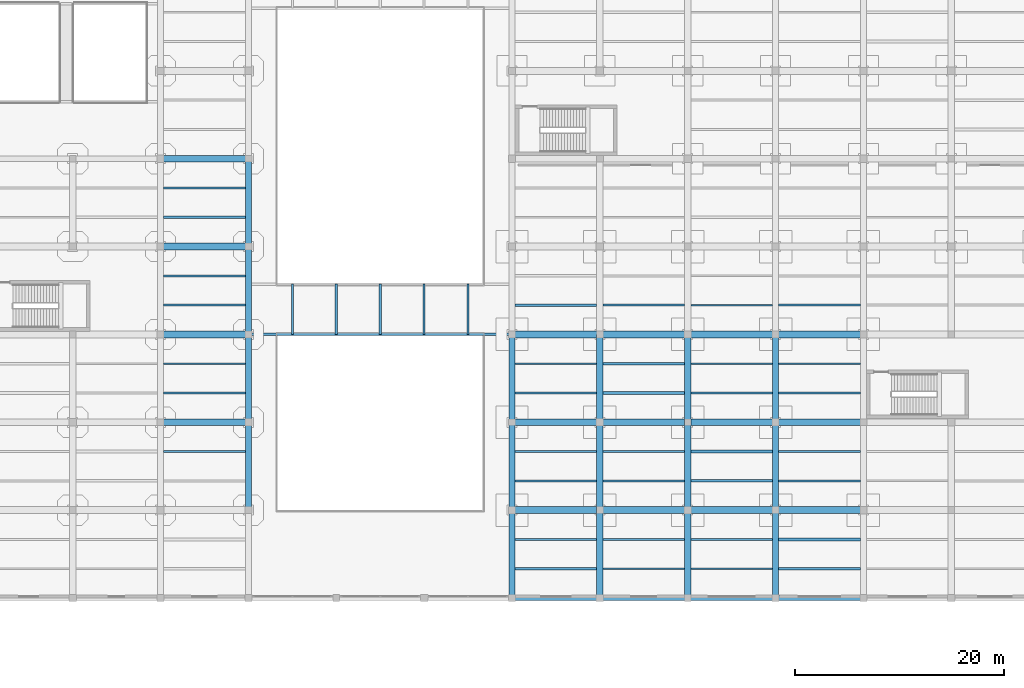
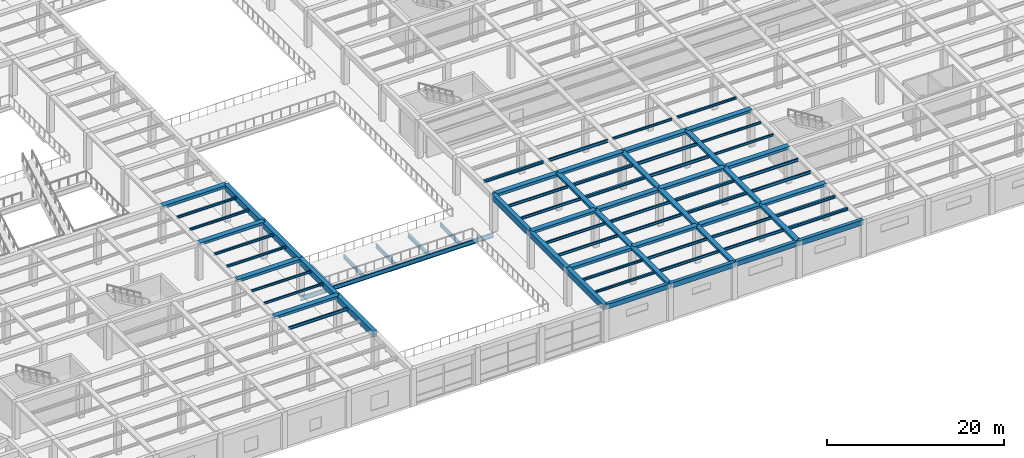
# One storey, part 15 of 65: 77 beams.
"""IFC4 building model written with IfcOpenShell, lengths in metres."""

from ifc_helpers import new_model, si_unit, direction, frame, origin, origin_2d, place, context, subcontext, project, spatial, rectangle, i_section, extrude, material, material_profile, profile_set, type_object, element, save


model = new_model("IFC4")

# Units and contexts
model_context = context("Model", 3, precision=1e-05, world=origin(), true_north=direction((0.0, 1.0)))
body_context = subcontext(model_context, "Body", "Model", "MODEL_VIEW")
ifc_project = project(units=[si_unit("LENGTHUNIT", "METRE"), si_unit("AREAUNIT", "SQUARE_METRE"), si_unit("VOLUMEUNIT", "CUBIC_METRE"), si_unit("PLANEANGLEUNIT", "RADIAN"), si_unit("MASSUNIT", "GRAM", prefix="KILO")], contexts=[model_context])

# Site, building, storey
site_placement = place(None, origin())
site = spatial("IfcSite", under=ifc_project, at=site_placement, CompositionType="ELEMENT")
building_placement = place(site_placement, origin())
building = spatial("IfcBuilding", under=site, at=building_placement, Name="Almacenes y Pasaje Nevantli", CompositionType="ELEMENT")
storey_placement = place(building_placement, frame((0.0, 0.0, 16.800048828125)))
storey = spatial("IfcBuildingStorey", under=building, at=storey_placement, Name="L04", CompositionType="ELEMENT", Elevation=16.800048828125)

# Beams
ifc_material_1 = material(Name="Concrete C35/45", Category="concrete")
ifc_material_profile_1 = material_profile(ifc_material_1, rectangle(XDim=0.449951171875, YDim=0.64990234375, at=origin_2d()), Name="RC-BM-450x650")
ifc_profile_set_1 = profile_set([ifc_material_profile_1], Name="Concrete C35/45")
beam_type_1 = type_object("IfcBeamType", Name="BM-RC-450x650", PredefinedType="SPANDREL", material=ifc_profile_set_1)
for number, where, z_axis, x_axis, name in (
    (1, (92.39990234375, 0.0, 4.77490234375), (1.0, 0.0, 0.0), (0.0, 1.0, 0.0), "L04 East-West Reinforced Concrete Beam #2758"),
    (2, (109.199951171875, 0.0, 4.77490234375), (1.0, 0.0, 0.0), (0.0, 1.0, 0.0), "L04 East-West Reinforced Concrete Beam #2760"),
):
    element("IfcBeam", number, at=place(storey_placement, frame(where, z_axis=z_axis, x_axis=x_axis)), inside=storey, type_object=beam_type_1, Name=name, PredefinedType="SPANDREL", context=body_context, shape_type="SweptSolid", body=[
        extrude(rectangle(XDim=0.449951171875, YDim=0.64990234375, at=origin_2d()), origin(), (0.0, 0.0, 1.0), 8.400146484375),
    ])
ifc_material_2 = material(Name="Concrete C35/45", Category="concrete")
ifc_material_profile_2 = material_profile(ifc_material_2, rectangle(XDim=0.449951171875, YDim=0.699951171875, at=origin_2d()), Name="RC-BM-450x700")
ifc_profile_set_2 = profile_set([ifc_material_profile_2], Name="Concrete C35/45")
beam_type_2 = type_object("IfcBeamType", Name="BM-RC-450x700", PredefinedType="SPANDREL", material=ifc_profile_set_2)
for number, where, z_axis, x_axis, name in (
    (3, (100.800048828125, 0.0, 4.75), (1.0, 0.0, 0.0), (0.0, 1.0, 0.0), "L04 East-West Reinforced Concrete Beam #2759"),
    (4, (117.60009765625, 0.0, 4.75), (1.0, 0.0, 0.0), (0.0, 1.0, 0.0), "L04 East-West Reinforced Concrete Beam #2761"),
):
    element("IfcBeam", number, at=place(storey_placement, frame(where, z_axis=z_axis, x_axis=x_axis)), inside=storey, type_object=beam_type_2, Name=name, PredefinedType="SPANDREL", context=body_context, shape_type="SweptSolid", body=[
        extrude(rectangle(XDim=0.449951171875, YDim=0.699951171875, at=origin_2d()), origin(), (0.0, 0.0, 1.0), 8.39990234375),
    ])
ifc_material_3 = material(Name="Concrete C35/45", Category="concrete")
ifc_material_profile_3 = material_profile(ifc_material_3, rectangle(XDim=0.550048828125, YDim=0.800048828125, at=origin_2d()), Name="RC-BM-550x800")
ifc_profile_set_3 = profile_set([ifc_material_profile_3], Name="Concrete C35/45")
beam_type_3 = type_object("IfcBeamType", Name="BM-RC-550x800", PredefinedType="BEAM", material=ifc_profile_set_3)
beam_1_placement = place(storey_placement, frame((67.199951171875, 8.39990234375, 4.699951171875), z_axis=(0.0, 1.0, 0.0), x_axis=(-1.0, 0.0, 0.0)))
element("IfcBeam", 5, at=beam_1_placement, inside=storey, type_object=beam_type_3, Name="L04 North-South Reinforced Concrete Beam #3082", PredefinedType="BEAM", context=body_context, shape_type="SweptSolid", body=[
    extrude(rectangle(XDim=0.550048828125, YDim=0.800048828125, at=origin_2d()), origin(), (0.0, 0.0, 1.0), 8.400146484375),
])
beam_2_placement = place(storey_placement, frame((67.199951171875, 16.800048828125, 4.699951171875), z_axis=(0.0, 1.0, 0.0), x_axis=(-1.0, 0.0, 0.0)))
element("IfcBeam", 6, at=beam_2_placement, inside=storey, type_object=beam_type_3, Name="L04 North-South Reinforced Concrete Beam #3083", PredefinedType="BEAM", context=body_context, shape_type="SweptSolid", body=[
    extrude(rectangle(XDim=0.550048828125, YDim=0.800048828125, at=origin_2d()), origin(), (0.0, 0.0, 1.0), 8.39990234375),
])
beam_3_placement = place(storey_placement, frame((67.199951171875, 25.199951171875, 4.699951171875), z_axis=(0.0, 1.0, 0.0), x_axis=(-1.0, 0.0, 0.0)))
element("IfcBeam", 7, at=beam_3_placement, inside=storey, type_object=beam_type_3, Name="L04 North-South Reinforced Concrete Beam #3084", PredefinedType="BEAM", context=body_context, shape_type="SweptSolid", body=[
    extrude(rectangle(XDim=0.550048828125, YDim=0.800048828125, at=origin_2d()), origin(), (0.0, 0.0, 1.0), 8.400146484375),
])
for number, where, z_axis, x_axis, name in (
    (8, (67.199951171875, 33.60009765625, 4.699951171875), (0.0, 1.0, 0.0), (-1.0, 0.0, 0.0), "L04 North-South Reinforced Concrete Beam #3085"),
    (9, (92.39990234375, 0.0, 4.699951171875), (0.0, 1.0, 0.0), (-1.0, 0.0, 0.0), "L04 North-South Reinforced Concrete Beam #3095"),
):
    element("IfcBeam", number, at=place(storey_placement, frame(where, z_axis=z_axis, x_axis=x_axis)), inside=storey, type_object=beam_type_3, Name=name, PredefinedType="BEAM", context=body_context, shape_type="SweptSolid", body=[
        extrude(rectangle(XDim=0.550048828125, YDim=0.800048828125, at=origin_2d()), origin(), (0.0, 0.0, 1.0), 8.39990234375),
    ])
beam_4_placement = place(storey_placement, frame((92.39990234375, 8.39990234375, 4.699951171875), z_axis=(0.0, 1.0, 0.0), x_axis=(-1.0, 0.0, 0.0)))
element("IfcBeam", 10, at=beam_4_placement, inside=storey, type_object=beam_type_3, Name="L04 North-South Reinforced Concrete Beam #3096", PredefinedType="BEAM", context=body_context, shape_type="SweptSolid", body=[
    extrude(rectangle(XDim=0.550048828125, YDim=0.800048828125, at=origin_2d()), origin(), (0.0, 0.0, 1.0), 8.400146484375),
])
beam_5_placement = place(storey_placement, frame((92.39990234375, 16.800048828125, 4.699951171875), z_axis=(0.0, 1.0, 0.0), x_axis=(-1.0, 0.0, 0.0)))
element("IfcBeam", 11, at=beam_5_placement, inside=storey, type_object=beam_type_3, Name="L04 North-South Reinforced Concrete Beam #3097", PredefinedType="BEAM", context=body_context, shape_type="SweptSolid", body=[
    extrude(rectangle(XDim=0.550048828125, YDim=0.800048828125, at=origin_2d()), origin(), (0.0, 0.0, 1.0), 8.39990234375),
])
ifc_material_4 = material(Name="Concrete C35/45", Category="concrete")
ifc_material_profile_4 = material_profile(ifc_material_4, rectangle(XDim=0.60009765625, YDim=0.320068359375, at=origin_2d()), Name="RC-BM-600x320")
ifc_profile_set_4 = profile_set([ifc_material_profile_4], Name="Concrete C35/45")
beam_type_4 = type_object("IfcBeamType", Name="BM-RC-600x320", PredefinedType="BEAM", material=ifc_profile_set_4)
beam_6_placement = place(storey_placement, frame((100.800048828125, 8.39990234375, 4.93994140625), z_axis=(0.0, 1.0, 0.0), x_axis=(-1.0, 0.0, 0.0)))
element("IfcBeam", 12, at=beam_6_placement, inside=storey, type_object=beam_type_4, Name="L04 North-South Reinforced Concrete Beam #3110", PredefinedType="BEAM", context=body_context, shape_type="SweptSolid", body=[
    extrude(rectangle(XDim=0.60009765625, YDim=0.320068359375, at=origin_2d()), origin(), (0.0, 0.0, 1.0), 8.400146484375),
])
for number, where, z_axis, x_axis, name in (
    (13, (109.199951171875, 0.0, 4.93994140625), (0.0, 1.0, 0.0), (-1.0, 0.0, 0.0), "L04 North-South Reinforced Concrete Beam #3122"),
    (14, (109.199951171875, 16.800048828125, 4.93994140625), (0.0, 1.0, 0.0), (-1.0, 0.0, 0.0), "L04 North-South Reinforced Concrete Beam #3124"),
):
    element("IfcBeam", number, at=place(storey_placement, frame(where, z_axis=z_axis, x_axis=x_axis)), inside=storey, type_object=beam_type_4, Name=name, PredefinedType="BEAM", context=body_context, shape_type="SweptSolid", body=[
        extrude(rectangle(XDim=0.60009765625, YDim=0.320068359375, at=origin_2d()), origin(), (0.0, 0.0, 1.0), 8.39990234375),
    ])
beam_7_placement = place(storey_placement, frame((117.60009765625, 8.39990234375, 4.93994140625), z_axis=(0.0, 1.0, 0.0), x_axis=(-1.0, 0.0, 0.0)))
element("IfcBeam", 15, at=beam_7_placement, inside=storey, type_object=beam_type_4, Name="L04 North-South Reinforced Concrete Beam #3136", PredefinedType="BEAM", context=body_context, shape_type="SweptSolid", body=[
    extrude(rectangle(XDim=0.60009765625, YDim=0.320068359375, at=origin_2d()), origin(), (0.0, 0.0, 1.0), 8.400146484375),
])
ifc_material_5 = material(Name="Concrete C35/45", Category="concrete")
ifc_material_profile_5 = material_profile(ifc_material_5, rectangle(XDim=0.60009765625, YDim=0.340087890625, at=origin_2d()), Name="RC-BM-600x340")
ifc_profile_set_5 = profile_set([ifc_material_profile_5], Name="Concrete C35/45")
beam_type_5 = type_object("IfcBeamType", Name="BM-RC-600x340", PredefinedType="BEAM", material=ifc_profile_set_5)
for number, where, z_axis, x_axis, name in (
    (16, (100.800048828125, 0.0, 4.929931640625), (0.0, 1.0, 0.0), (-1.0, 0.0, 0.0), "L04 North-South Reinforced Concrete Beam #3109"),
    (17, (100.800048828125, 16.800048828125, 4.929931640625), (0.0, 1.0, 0.0), (-1.0, 0.0, 0.0), "L04 North-South Reinforced Concrete Beam #3111"),
):
    element("IfcBeam", number, at=place(storey_placement, frame(where, z_axis=z_axis, x_axis=x_axis)), inside=storey, type_object=beam_type_5, Name=name, PredefinedType="BEAM", context=body_context, shape_type="SweptSolid", body=[
        extrude(rectangle(XDim=0.60009765625, YDim=0.340087890625, at=origin_2d()), origin(), (0.0, 0.0, 1.0), 8.39990234375),
    ])
beam_8_placement = place(storey_placement, frame((109.199951171875, 8.39990234375, 4.929931640625), z_axis=(0.0, 1.0, 0.0), x_axis=(-1.0, 0.0, 0.0)))
element("IfcBeam", 18, at=beam_8_placement, inside=storey, type_object=beam_type_5, Name="L04 North-South Reinforced Concrete Beam #3123", PredefinedType="BEAM", context=body_context, shape_type="SweptSolid", body=[
    extrude(rectangle(XDim=0.60009765625, YDim=0.340087890625, at=origin_2d()), origin(), (0.0, 0.0, 1.0), 8.400146484375),
])
for number, where, z_axis, x_axis, name in (
    (19, (117.60009765625, 0.0, 4.929931640625), (0.0, 1.0, 0.0), (-1.0, 0.0, 0.0), "L04 North-South Reinforced Concrete Beam #3135"),
    (20, (117.60009765625, 16.800048828125, 4.929931640625), (0.0, 1.0, 0.0), (-1.0, 0.0, 0.0), "L04 North-South Reinforced Concrete Beam #3137"),
):
    element("IfcBeam", number, at=place(storey_placement, frame(where, z_axis=z_axis, x_axis=x_axis)), inside=storey, type_object=beam_type_5, Name=name, PredefinedType="BEAM", context=body_context, shape_type="SweptSolid", body=[
        extrude(rectangle(XDim=0.60009765625, YDim=0.340087890625, at=origin_2d()), origin(), (0.0, 0.0, 1.0), 8.39990234375),
    ])
ifc_material_6 = material(Name="Concrete C35/45", Category="concrete")
ifc_material_profile_6 = material_profile(ifc_material_6, rectangle(XDim=0.64990234375, YDim=0.35009765625, at=origin_2d()), Name="RC-BM-650x350")
ifc_profile_set_6 = profile_set([ifc_material_profile_6], Name="Concrete C35/45")
beam_type_6 = type_object("IfcBeamType", Name="BM-RC-650x350", PredefinedType="BEAM", material=ifc_profile_set_6)
for number, where, z_axis, x_axis, name in (
    (21, (100.800048828125, 8.39990234375, 4.925048828125), (1.0, 0.0, 0.0), (0.0, 1.0, 0.0), "L04 East-West Reinforced Concrete Beam #2773"),
    (22, (117.60009765625, 8.39990234375, 4.925048828125), (1.0, 0.0, 0.0), (0.0, 1.0, 0.0), "L04 East-West Reinforced Concrete Beam #2775"),
    (23, (58.800048828125, 16.800048828125, 4.925048828125), (1.0, 0.0, 0.0), (0.0, 1.0, 0.0), "L04 East-West Reinforced Concrete Beam #2785"),
):
    element("IfcBeam", number, at=place(storey_placement, frame(where, z_axis=z_axis, x_axis=x_axis)), inside=storey, type_object=beam_type_6, Name=name, PredefinedType="BEAM", context=body_context, shape_type="SweptSolid", body=[
        extrude(rectangle(XDim=0.64990234375, YDim=0.35009765625, at=origin_2d()), origin(), (0.0, 0.0, 1.0), 8.39990234375),
    ])
for number, where, z_axis, x_axis, name in (
    (24, (92.39990234375, 16.800048828125, 4.925048828125), (1.0, 0.0, 0.0), (0.0, 1.0, 0.0), "L04 East-West Reinforced Concrete Beam #2786"),
    (25, (109.199951171875, 16.800048828125, 4.925048828125), (1.0, 0.0, 0.0), (0.0, 1.0, 0.0), "L04 East-West Reinforced Concrete Beam #2788"),
):
    element("IfcBeam", number, at=place(storey_placement, frame(where, z_axis=z_axis, x_axis=x_axis)), inside=storey, type_object=beam_type_6, Name=name, PredefinedType="BEAM", context=body_context, shape_type="SweptSolid", body=[
        extrude(rectangle(XDim=0.64990234375, YDim=0.35009765625, at=origin_2d()), origin(), (0.0, 0.0, 1.0), 8.400146484375),
    ])
for number, where, z_axis, x_axis, name in (
    (26, (100.800048828125, 25.199951171875, 4.925048828125), (1.0, 0.0, 0.0), (0.0, 1.0, 0.0), "L04 East-West Reinforced Concrete Beam #2804"),
    (27, (117.60009765625, 25.199951171875, 4.925048828125), (1.0, 0.0, 0.0), (0.0, 1.0, 0.0), "L04 East-West Reinforced Concrete Beam #2806"),
    (28, (58.800048828125, 33.60009765625, 4.925048828125), (1.0, 0.0, 0.0), (0.0, 1.0, 0.0), "L04 East-West Reinforced Concrete Beam #2819"),
):
    element("IfcBeam", number, at=place(storey_placement, frame(where, z_axis=z_axis, x_axis=x_axis)), inside=storey, type_object=beam_type_6, Name=name, PredefinedType="BEAM", context=body_context, shape_type="SweptSolid", body=[
        extrude(rectangle(XDim=0.64990234375, YDim=0.35009765625, at=origin_2d()), origin(), (0.0, 0.0, 1.0), 8.39990234375),
    ])
ifc_material_7 = material(Name="Concrete C35/45", Category="concrete")
ifc_material_profile_7 = material_profile(ifc_material_7, rectangle(XDim=0.64990234375, YDim=0.3798828125, at=origin_2d()), Name="RC-BM-650x380")
ifc_profile_set_7 = profile_set([ifc_material_profile_7], Name="Concrete C35/45")
beam_type_7 = type_object("IfcBeamType", Name="BM-RC-650x380", PredefinedType="BEAM", material=ifc_profile_set_7)
for number, where, z_axis, x_axis, name in (
    (29, (92.39990234375, 8.39990234375, 4.909912109375), (1.0, 0.0, 0.0), (0.0, 1.0, 0.0), "L04 East-West Reinforced Concrete Beam #2772"),
    (30, (109.199951171875, 8.39990234375, 4.909912109375), (1.0, 0.0, 0.0), (0.0, 1.0, 0.0), "L04 East-West Reinforced Concrete Beam #2774"),
):
    element("IfcBeam", number, at=place(storey_placement, frame(where, z_axis=z_axis, x_axis=x_axis)), inside=storey, type_object=beam_type_7, Name=name, PredefinedType="BEAM", context=body_context, shape_type="SweptSolid", body=[
        extrude(rectangle(XDim=0.64990234375, YDim=0.3798828125, at=origin_2d()), origin(), (0.0, 0.0, 1.0), 8.400146484375),
    ])
for number, where, z_axis, x_axis, name in (
    (31, (100.800048828125, 16.800048828125, 4.909912109375), (1.0, 0.0, 0.0), (0.0, 1.0, 0.0), "L04 East-West Reinforced Concrete Beam #2787"),
    (32, (117.60009765625, 16.800048828125, 4.909912109375), (1.0, 0.0, 0.0), (0.0, 1.0, 0.0), "L04 East-West Reinforced Concrete Beam #2789"),
    (33, (58.800048828125, 25.199951171875, 4.909912109375), (1.0, 0.0, 0.0), (0.0, 1.0, 0.0), "L04 East-West Reinforced Concrete Beam #2802"),
):
    element("IfcBeam", number, at=place(storey_placement, frame(where, z_axis=z_axis, x_axis=x_axis)), inside=storey, type_object=beam_type_7, Name=name, PredefinedType="BEAM", context=body_context, shape_type="SweptSolid", body=[
        extrude(rectangle(XDim=0.64990234375, YDim=0.3798828125, at=origin_2d()), origin(), (0.0, 0.0, 1.0), 8.39990234375),
    ])
for number, where, z_axis, x_axis, name in (
    (34, (92.39990234375, 25.199951171875, 4.909912109375), (1.0, 0.0, 0.0), (0.0, 1.0, 0.0), "L04 East-West Reinforced Concrete Beam #2803"),
    (35, (109.199951171875, 25.199951171875, 4.909912109375), (1.0, 0.0, 0.0), (0.0, 1.0, 0.0), "L04 East-West Reinforced Concrete Beam #2805"),
):
    element("IfcBeam", number, at=place(storey_placement, frame(where, z_axis=z_axis, x_axis=x_axis)), inside=storey, type_object=beam_type_7, Name=name, PredefinedType="BEAM", context=body_context, shape_type="SweptSolid", body=[
        extrude(rectangle(XDim=0.64990234375, YDim=0.3798828125, at=origin_2d()), origin(), (0.0, 0.0, 1.0), 8.400146484375),
    ])
beam_9_placement = place(storey_placement, frame((58.800048828125, 42.0, 4.909912109375), z_axis=(1.0, 0.0, 0.0), x_axis=(0.0, 1.0, 0.0)))
element("IfcBeam", 36, at=beam_9_placement, inside=storey, type_object=beam_type_7, Name="L04 East-West Reinforced Concrete Beam #2836", PredefinedType="BEAM", context=body_context, shape_type="SweptSolid", body=[
    extrude(rectangle(XDim=0.64990234375, YDim=0.3798828125, at=origin_2d()), origin(), (0.0, 0.0, 1.0), 8.39990234375),
])
ifc_material_8 = material(Name="Steel ASTM A992", Category="steel")
ifc_material_profile_8 = material_profile(ifc_material_8, i_section(OverallWidth=0.1650390625, OverallDepth=0.306884765625, WebThickness=0.006591796875, FlangeThickness=0.01025390625, at=origin_2d()), Name="IR 305x44.6")
ifc_profile_set_8 = profile_set([ifc_material_profile_8], Name="Steel ASTM A992")
beam_type_8 = type_object("IfcBeamType", Name="BM-STL-IR-305x44p6", PredefinedType="JOIST", material=ifc_profile_set_8)
for number, where, z_axis, x_axis, name in (
    (37, (59.10009765625, 19.60009765625, 4.9384765625), (1.0, 0.0, 0.0), (0.0, 1.0, 0.0), "L04 Secondary Steel Floor Joist #1111"),
    (38, (59.10009765625, 22.39990234375, 4.9384765625), (1.0, 0.0, 0.0), (0.0, 1.0, 0.0), "L04 Secondary Steel Floor Joist #1112"),
):
    element("IfcBeam", number, at=place(storey_placement, frame(where, z_axis=z_axis, x_axis=x_axis)), inside=storey, type_object=beam_type_8, Name=name, PredefinedType="JOIST", context=body_context, shape_type="SweptSolid", body=[
        extrude(i_section(OverallWidth=0.1650390625, OverallDepth=0.306884765625, WebThickness=0.006591796875, FlangeThickness=0.01025390625, at=origin_2d()), origin(), (0.0, 0.0, 1.0), 7.824951171875),
    ])
for number, where, z_axis, x_axis, name in (
    (39, (109.5, 28.0, 4.9384765625), (1.0, 0.0, 0.0), (0.0, 1.0, 0.0), "L04 Secondary Steel Floor Joist #1189"),
    (40, (117.89990234375, 19.60009765625, 4.9384765625), (1.0, 0.0, 0.0), (0.0, 1.0, 0.0), "L04 Secondary Steel Floor Joist #1213"),
    (41, (117.89990234375, 22.39990234375, 4.9384765625), (1.0, 0.0, 0.0), (0.0, 1.0, 0.0), "L04 Secondary Steel Floor Joist #1214"),
):
    element("IfcBeam", number, at=place(storey_placement, frame(where, z_axis=z_axis, x_axis=x_axis)), inside=storey, type_object=beam_type_8, Name=name, PredefinedType="JOIST", context=body_context, shape_type="SweptSolid", body=[
        extrude(i_section(OverallWidth=0.1650390625, OverallDepth=0.306884765625, WebThickness=0.006591796875, FlangeThickness=0.01025390625, at=origin_2d()), origin(), (0.0, 0.0, 1.0), 7.800048828125),
    ])
ifc_material_9 = material(Name="Steel ASTM A992", Category="steel")
ifc_material_profile_9 = material_profile(ifc_material_9, i_section(OverallWidth=0.202880859375, OverallDepth=0.304931640625, WebThickness=0.007568359375, FlangeThickness=0.01318359375, at=origin_2d()), Name="IR 305x59.5")
ifc_profile_set_9 = profile_set([ifc_material_profile_9], Name="Steel ASTM A992")
beam_type_9 = type_object("IfcBeamType", Name="BM-STL-IR-305x59p5", PredefinedType="JOIST", material=ifc_profile_set_9)
for number, where, z_axis, x_axis, name in (
    (42, (59.10009765625, 28.0, 4.939453125), (1.0, 0.0, 0.0), (0.0, 1.0, 0.0), "L04 Secondary Steel Floor Joist #1113"),
    (43, (59.10009765625, 30.800048828125, 4.939453125), (1.0, 0.0, 0.0), (0.0, 1.0, 0.0), "L04 Secondary Steel Floor Joist #1114"),
):
    element("IfcBeam", number, at=place(storey_placement, frame(where, z_axis=z_axis, x_axis=x_axis)), inside=storey, type_object=beam_type_9, Name=name, PredefinedType="JOIST", context=body_context, shape_type="SweptSolid", body=[
        extrude(i_section(OverallWidth=0.202880859375, OverallDepth=0.304931640625, WebThickness=0.007568359375, FlangeThickness=0.01318359375, at=origin_2d()), origin(), (0.0, 0.0, 1.0), 7.824951171875),
    ])
beam_10_placement = place(storey_placement, frame((117.89990234375, 28.0, 4.939453125), z_axis=(1.0, 0.0, 0.0), x_axis=(0.0, 1.0, 0.0)))
element("IfcBeam", 44, at=beam_10_placement, inside=storey, type_object=beam_type_9, Name="L04 Secondary Steel Floor Joist #1215", PredefinedType="JOIST", context=body_context, shape_type="SweptSolid", body=[
    extrude(i_section(OverallWidth=0.202880859375, OverallDepth=0.304931640625, WebThickness=0.007568359375, FlangeThickness=0.01318359375, at=origin_2d()), origin(), (0.0, 0.0, 1.0), 7.800048828125),
])
ifc_material_10 = material(Name="Steel ASTM A992", Category="steel")
ifc_material_profile_10 = material_profile(ifc_material_10, i_section(OverallWidth=0.205078125, OverallDepth=0.31005859375, WebThickness=0.009521484375, FlangeThickness=0.016357421875, at=origin_2d()), Name="IR 305x74.4")
ifc_profile_set_10 = profile_set([ifc_material_profile_10], Name="Steel ASTM A992")
beam_type_10 = type_object("IfcBeamType", Name="BM-STL-IR-305x74p4", PredefinedType="JOIST", material=ifc_profile_set_10)
for number, where, z_axis, x_axis, name in (
    (45, (59.10009765625, 36.39990234375, 4.93701171875), (1.0, 0.0, 0.0), (0.0, 1.0, 0.0), "L04 Secondary Steel Floor Joist #1115"),
    (46, (59.10009765625, 39.199951171875, 4.93701171875), (1.0, 0.0, 0.0), (0.0, 1.0, 0.0), "L04 Secondary Steel Floor Joist #1116"),
    (47, (92.675048828125, 2.800048828125, 4.93701171875), (1.0, 0.0, 0.0), (0.0, 1.0, 0.0), "L04 Secondary Steel Floor Joist #1133"),
    (48, (92.675048828125, 5.60009765625, 4.93701171875), (1.0, 0.0, 0.0), (0.0, 1.0, 0.0), "L04 Secondary Steel Floor Joist #1134"),
):
    element("IfcBeam", number, at=place(storey_placement, frame(where, z_axis=z_axis, x_axis=x_axis)), inside=storey, type_object=beam_type_10, Name=name, PredefinedType="JOIST", context=body_context, shape_type="SweptSolid", body=[
        extrude(i_section(OverallWidth=0.205078125, OverallDepth=0.31005859375, WebThickness=0.009521484375, FlangeThickness=0.016357421875, at=origin_2d()), origin(), (0.0, 0.0, 1.0), 7.824951171875),
    ])
ifc_material_11 = material(Name="Steel ASTM A992", Category="steel")
ifc_material_profile_11 = material_profile(ifc_material_11, i_section(OverallWidth=0.173095703125, OverallDepth=0.35302734375, WebThickness=0.0078125, FlangeThickness=0.01318359375, at=origin_2d()), Name="IR 356x56.6")
ifc_profile_set_11 = profile_set([ifc_material_profile_11], Name="Steel ASTM A992")
beam_type_11 = type_object("IfcBeamType", Name="BM-STL-IR-356x56p6", PredefinedType="JOIST", material=ifc_profile_set_11)
for number, where, z_axis, x_axis, name in (
    (49, (92.675048828125, 11.199951171875, 4.91552734375), (1.0, 0.0, 0.0), (0.0, 1.0, 0.0), "L04 Secondary Steel Floor Joist #1135"),
    (50, (92.675048828125, 14.0, 4.91552734375), (1.0, 0.0, 0.0), (0.0, 1.0, 0.0), "L04 Secondary Steel Floor Joist #1136"),
):
    element("IfcBeam", number, at=place(storey_placement, frame(where, z_axis=z_axis, x_axis=x_axis)), inside=storey, type_object=beam_type_11, Name=name, PredefinedType="JOIST", context=body_context, shape_type="SweptSolid", body=[
        extrude(i_section(OverallWidth=0.173095703125, OverallDepth=0.35302734375, WebThickness=0.0078125, FlangeThickness=0.01318359375, at=origin_2d()), origin(), (0.0, 0.0, 1.0), 7.824951171875),
    ])
for number, where, z_axis, x_axis, name in (
    (51, (101.10009765625, 2.800048828125, 4.91552734375), (1.0, 0.0, 0.0), (0.0, 1.0, 0.0), "L04 Secondary Steel Floor Joist #1159"),
    (52, (101.10009765625, 5.60009765625, 4.91552734375), (1.0, 0.0, 0.0), (0.0, 1.0, 0.0), "L04 Secondary Steel Floor Joist #1160"),
):
    element("IfcBeam", number, at=place(storey_placement, frame(where, z_axis=z_axis, x_axis=x_axis)), inside=storey, type_object=beam_type_11, Name=name, PredefinedType="JOIST", context=body_context, shape_type="SweptSolid", body=[
        extrude(i_section(OverallWidth=0.173095703125, OverallDepth=0.35302734375, WebThickness=0.0078125, FlangeThickness=0.01318359375, at=origin_2d()), origin(), (0.0, 0.0, 1.0), 7.7998046875),
    ])
ifc_material_12 = material(Name="Steel ASTM A992", Category="steel")
ifc_material_profile_12 = material_profile(ifc_material_12, i_section(OverallWidth=0.173095703125, OverallDepth=0.364013671875, WebThickness=0.009033203125, FlangeThickness=0.015625, at=origin_2d()), Name="IR 356x67.0")
ifc_profile_set_12 = profile_set([ifc_material_profile_12], Name="Steel ASTM A992")
beam_type_12 = type_object("IfcBeamType", Name="BM-STL-IR-356x67p0", PredefinedType="JOIST", material=ifc_profile_set_12)
for number, where, z_axis, x_axis, name in (
    (53, (92.675048828125, 19.60009765625, 4.909912109375), (1.0, 0.0, 0.0), (0.0, 1.0, 0.0), "L04 Secondary Steel Floor Joist #1137"),
    (54, (92.675048828125, 22.39990234375, 4.909912109375), (1.0, 0.0, 0.0), (0.0, 1.0, 0.0), "L04 Secondary Steel Floor Joist #1138"),
):
    element("IfcBeam", number, at=place(storey_placement, frame(where, z_axis=z_axis, x_axis=x_axis)), inside=storey, type_object=beam_type_12, Name=name, PredefinedType="JOIST", context=body_context, shape_type="SweptSolid", body=[
        extrude(i_section(OverallWidth=0.173095703125, OverallDepth=0.364013671875, WebThickness=0.009033203125, FlangeThickness=0.015625, at=origin_2d()), origin(), (0.0, 0.0, 1.0), 7.824951171875),
    ])
for number, where, z_axis, x_axis, name in (
    (55, (101.10009765625, 11.199951171875, 4.909912109375), (1.0, 0.0, 0.0), (0.0, 1.0, 0.0), "L04 Secondary Steel Floor Joist #1161"),
    (56, (101.10009765625, 14.0, 4.909912109375), (1.0, 0.0, 0.0), (0.0, 1.0, 0.0), "L04 Secondary Steel Floor Joist #1162"),
):
    element("IfcBeam", number, at=place(storey_placement, frame(where, z_axis=z_axis, x_axis=x_axis)), inside=storey, type_object=beam_type_12, Name=name, PredefinedType="JOIST", context=body_context, shape_type="SweptSolid", body=[
        extrude(i_section(OverallWidth=0.173095703125, OverallDepth=0.364013671875, WebThickness=0.009033203125, FlangeThickness=0.015625, at=origin_2d()), origin(), (0.0, 0.0, 1.0), 7.7998046875),
    ])
for number, where, z_axis, x_axis, name in (
    (57, (109.5, 2.800048828125, 4.909912109375), (1.0, 0.0, 0.0), (0.0, 1.0, 0.0), "L04 Secondary Steel Floor Joist #1183"),
    (58, (109.5, 5.60009765625, 4.909912109375), (1.0, 0.0, 0.0), (0.0, 1.0, 0.0), "L04 Secondary Steel Floor Joist #1184"),
):
    element("IfcBeam", number, at=place(storey_placement, frame(where, z_axis=z_axis, x_axis=x_axis)), inside=storey, type_object=beam_type_12, Name=name, PredefinedType="JOIST", context=body_context, shape_type="SweptSolid", body=[
        extrude(i_section(OverallWidth=0.173095703125, OverallDepth=0.364013671875, WebThickness=0.009033203125, FlangeThickness=0.015625, at=origin_2d()), origin(), (0.0, 0.0, 1.0), 7.800048828125),
    ])
ifc_material_13 = material(Name="Steel ASTM A992", Category="steel")
ifc_material_profile_13 = material_profile(ifc_material_13, i_section(OverallWidth=0.25390625, OverallDepth=0.35595703125, WebThickness=0.009521484375, FlangeThickness=0.016357421875, at=origin_2d()), Name="IR 356x79.0")
ifc_profile_set_13 = profile_set([ifc_material_profile_13], Name="Steel ASTM A992")
beam_type_13 = type_object("IfcBeamType", Name="BM-STL-IR-356x79p0", PredefinedType="JOIST", material=ifc_profile_set_13)
beam_11_placement = place(storey_placement, frame((92.675048828125, 28.0, 4.9140625), z_axis=(1.0, 0.0, 0.0), x_axis=(0.0, 1.0, 0.0)))
element("IfcBeam", 59, at=beam_11_placement, inside=storey, type_object=beam_type_13, Name="L04 Secondary Steel Floor Joist #1139", PredefinedType="JOIST", context=body_context, shape_type="SweptSolid", body=[
    extrude(i_section(OverallWidth=0.25390625, OverallDepth=0.35595703125, WebThickness=0.009521484375, FlangeThickness=0.016357421875, at=origin_2d()), origin(), (0.0, 0.0, 1.0), 7.824951171875),
])
for number, where, z_axis, x_axis, name in (
    (60, (101.10009765625, 19.60009765625, 4.9140625), (1.0, 0.0, 0.0), (0.0, 1.0, 0.0), "L04 Secondary Steel Floor Joist #1163"),
    (61, (101.10009765625, 22.39990234375, 4.9140625), (1.0, 0.0, 0.0), (0.0, 1.0, 0.0), "L04 Secondary Steel Floor Joist #1164"),
):
    element("IfcBeam", number, at=place(storey_placement, frame(where, z_axis=z_axis, x_axis=x_axis)), inside=storey, type_object=beam_type_13, Name=name, PredefinedType="JOIST", context=body_context, shape_type="SweptSolid", body=[
        extrude(i_section(OverallWidth=0.25390625, OverallDepth=0.35595703125, WebThickness=0.009521484375, FlangeThickness=0.016357421875, at=origin_2d()), origin(), (0.0, 0.0, 1.0), 7.7998046875),
    ])
for number, where, z_axis, x_axis, name in (
    (62, (109.5, 11.199951171875, 4.9140625), (1.0, 0.0, 0.0), (0.0, 1.0, 0.0), "L04 Secondary Steel Floor Joist #1185"),
    (63, (109.5, 14.0, 4.9140625), (1.0, 0.0, 0.0), (0.0, 1.0, 0.0), "L04 Secondary Steel Floor Joist #1186"),
    (64, (117.89990234375, 2.800048828125, 4.9140625), (1.0, 0.0, 0.0), (0.0, 1.0, 0.0), "L04 Secondary Steel Floor Joist #1209"),
    (65, (117.89990234375, 5.60009765625, 4.9140625), (1.0, 0.0, 0.0), (0.0, 1.0, 0.0), "L04 Secondary Steel Floor Joist #1210"),
):
    element("IfcBeam", number, at=place(storey_placement, frame(where, z_axis=z_axis, x_axis=x_axis)), inside=storey, type_object=beam_type_13, Name=name, PredefinedType="JOIST", context=body_context, shape_type="SweptSolid", body=[
        extrude(i_section(OverallWidth=0.25390625, OverallDepth=0.35595703125, WebThickness=0.009521484375, FlangeThickness=0.016357421875, at=origin_2d()), origin(), (0.0, 0.0, 1.0), 7.800048828125),
    ])
ifc_material_14 = material(Name="Steel ASTM A992", Category="steel")
ifc_material_profile_14 = material_profile(ifc_material_14, i_section(OverallWidth=0.178955078125, OverallDepth=0.406005859375, WebThickness=0.0087890625, FlangeThickness=0.014404296875, at=origin_2d()), Name="IR 406x67.0")
ifc_profile_set_14 = profile_set([ifc_material_profile_14], Name="Steel ASTM A992")
beam_type_14 = type_object("IfcBeamType", Name="BM-STL-IR-406x67p0", PredefinedType="JOIST", material=ifc_profile_set_14)
beam_12_placement = place(storey_placement, frame((59.10009765625, 14.0, 4.888916015625), z_axis=(1.0, 0.0, 0.0), x_axis=(0.0, 1.0, 0.0)))
element("IfcBeam", 66, at=beam_12_placement, inside=storey, type_object=beam_type_14, Name="L04 Secondary Steel Floor Joist #1110", PredefinedType="JOIST", context=body_context, shape_type="SweptSolid", body=[
    extrude(i_section(OverallWidth=0.178955078125, OverallDepth=0.406005859375, WebThickness=0.0087890625, FlangeThickness=0.014404296875, at=origin_2d()), origin(), (0.0, 0.0, 1.0), 7.824951171875),
])
beam_13_placement = place(storey_placement, frame((101.10009765625, 28.0, 4.888916015625), z_axis=(1.0, 0.0, 0.0), x_axis=(0.0, 1.0, 0.0)))
element("IfcBeam", 67, at=beam_13_placement, inside=storey, type_object=beam_type_14, Name="L04 Secondary Steel Floor Joist #1165", PredefinedType="JOIST", context=body_context, shape_type="SweptSolid", body=[
    extrude(i_section(OverallWidth=0.178955078125, OverallDepth=0.406005859375, WebThickness=0.0087890625, FlangeThickness=0.014404296875, at=origin_2d()), origin(), (0.0, 0.0, 1.0), 7.7998046875),
])
for number, where, z_axis, x_axis, name in (
    (68, (109.5, 19.60009765625, 4.888916015625), (1.0, 0.0, 0.0), (0.0, 1.0, 0.0), "L04 Secondary Steel Floor Joist #1187"),
    (69, (109.5, 22.39990234375, 4.888916015625), (1.0, 0.0, 0.0), (0.0, 1.0, 0.0), "L04 Secondary Steel Floor Joist #1188"),
    (70, (117.89990234375, 11.199951171875, 4.888916015625), (1.0, 0.0, 0.0), (0.0, 1.0, 0.0), "L04 Secondary Steel Floor Joist #1211"),
    (71, (117.89990234375, 14.0, 4.888916015625), (1.0, 0.0, 0.0), (0.0, 1.0, 0.0), "L04 Secondary Steel Floor Joist #1212"),
):
    element("IfcBeam", number, at=place(storey_placement, frame(where, z_axis=z_axis, x_axis=x_axis)), inside=storey, type_object=beam_type_14, Name=name, PredefinedType="JOIST", context=body_context, shape_type="SweptSolid", body=[
        extrude(i_section(OverallWidth=0.178955078125, OverallDepth=0.406005859375, WebThickness=0.0087890625, FlangeThickness=0.014404296875, at=origin_2d()), origin(), (0.0, 0.0, 1.0), 7.800048828125),
    ])
ifc_material_15 = material(Name="Steel ASTM A992", Category="steel")
ifc_material_profile_15 = material_profile(ifc_material_15, i_section(OverallWidth=0.2109375, OverallDepth=0.5390625, WebThickness=0.01171875, FlangeThickness=0.018798828125, at=origin_2d()), Name="IR 533x108.6")
ifc_profile_set_15 = profile_set([ifc_material_profile_15], Name="Steel ASTM A992")
beam_type_15 = type_object("IfcBeamType", Name="BM-STL-IR-533x108p6", PredefinedType="BEAM", material=ifc_profile_set_15)
for number, where, z_axis, x_axis, name in (
    (72, (71.39990234375, 25.199951171875, -0.57763671875), (0.0, 1.0, 0.0), (-1.0, 0.0, 0.0), "L04 Arcade Gallery Bridge Cross Beam #45"),
    (73, (75.60009765625, 25.199951171875, -0.57763671875), (0.0, 1.0, 0.0), (-1.0, 0.0, 0.0), "L04 Arcade Gallery Bridge Cross Beam #46"),
    (74, (79.800048828125, 25.199951171875, -0.57763671875), (0.0, 1.0, 0.0), (-1.0, 0.0, 0.0), "L04 Arcade Gallery Bridge Cross Beam #47"),
    (75, (84.0, 25.199951171875, -0.57763671875), (0.0, 1.0, 0.0), (-1.0, 0.0, 0.0), "L04 Arcade Gallery Bridge Cross Beam #48"),
    (76, (88.199951171875, 25.199951171875, -0.57763671875), (0.0, 1.0, 0.0), (-1.0, 0.0, 0.0), "L04 Arcade Gallery Bridge Cross Beam #49"),
):
    element("IfcBeam", number, at=place(storey_placement, frame(where, z_axis=z_axis, x_axis=x_axis)), inside=storey, type_object=beam_type_15, Name=name, PredefinedType="BEAM", context=body_context, shape_type="SweptSolid", body=[
        extrude(i_section(OverallWidth=0.2109375, OverallDepth=0.5390625, WebThickness=0.01171875, FlangeThickness=0.018798828125, at=origin_2d()), origin(), (0.0, 0.0, 1.0), 4.800048828125),
    ])
ifc_material_16 = material(Name="Steel ASTM A992", Category="steel")
ifc_material_profile_16 = material_profile(ifc_material_16, i_section(OverallWidth=0.22802734375, OverallDepth=0.60693359375, WebThickness=0.01123046875, FlangeThickness=0.017333984375, at=origin_2d()), Name="IR 610x113.0")
ifc_profile_set_16 = profile_set([ifc_material_profile_16], Name="Steel ASTM A992")
beam_type_16 = type_object("IfcBeamType", Name="BM-STL-IR-610x113p0", PredefinedType="BEAM", material=ifc_profile_set_16)
beam_14_placement = place(storey_placement, frame((67.199951171875, 25.199951171875, -0.611572265625), z_axis=(1.0, 0.0, 0.0), x_axis=(0.0, 1.0, 0.0)))
element("IfcBeam", 77, at=beam_14_placement, inside=storey, type_object=beam_type_16, Name="L04 Arcade Gallery Bridge Steel Girder BRG-ARC-1.1", PredefinedType="BEAM", context=body_context, shape_type="SweptSolid", body=[
    extrude(i_section(OverallWidth=0.22802734375, OverallDepth=0.60693359375, WebThickness=0.01123046875, FlangeThickness=0.017333984375, at=origin_2d()), origin(), (0.0, 0.0, 1.0), 25.199951171875),
])

save(model, "model.ifc")
